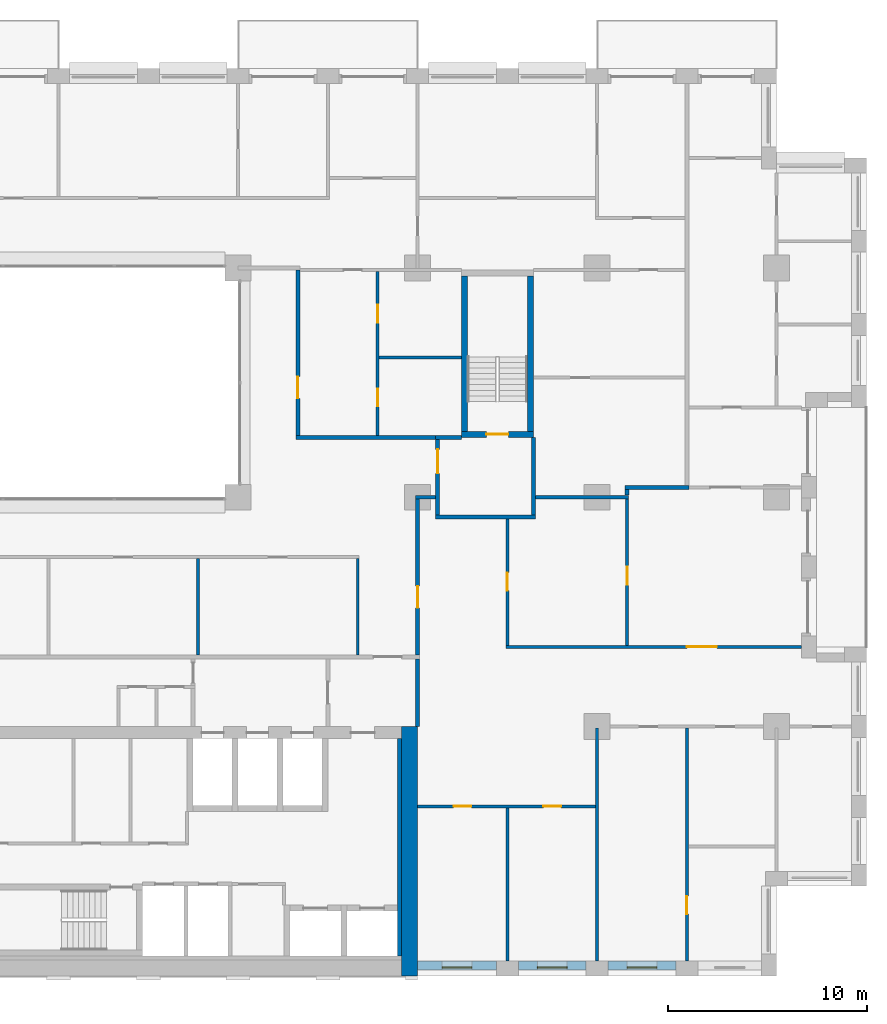
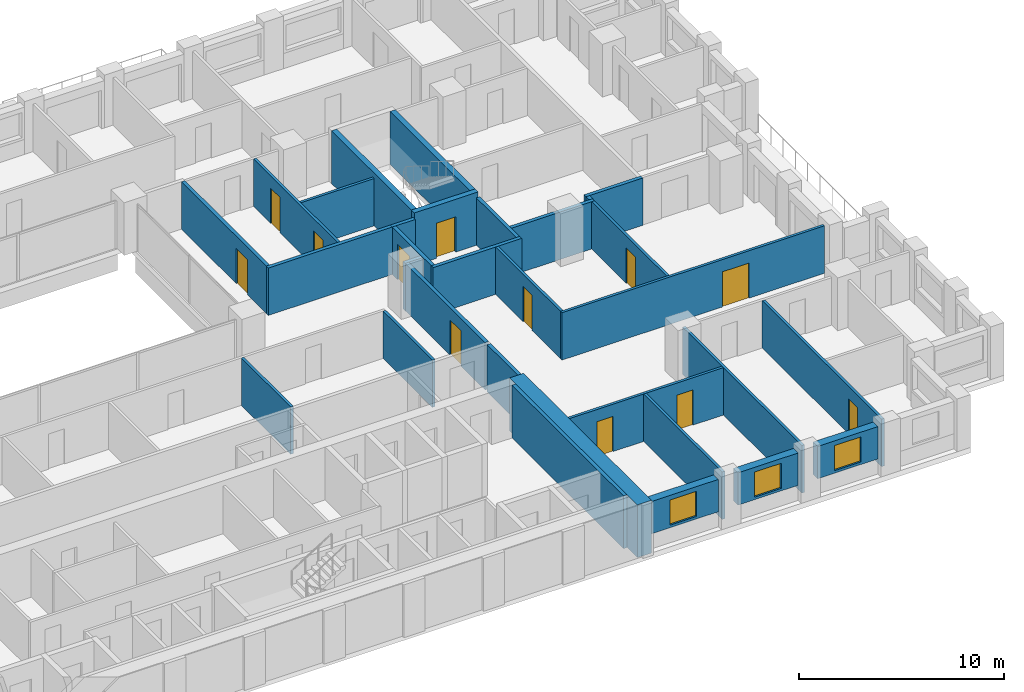
# One storey, part 11 of 16: 31 walls, 12 doors, 3 windows, 15 openings.
"""IFC4 building model written with IfcOpenShell, lengths in metres."""

from ifc_helpers import new_model, si_unit, direction, frame, frame_2d, origin, place, context, subcontext, project, spatial, rectangle, extrude, material, layer, layer_set, type_object, element, fill, save


model = new_model("IFC4")

# Units and contexts
model_context = context("Model", 3, precision=1e-05, world=origin(), true_north=direction((0.0, 1.0)))
body_context = subcontext(model_context, "Body", "Model", "MODEL_VIEW")
ifc_project = project(units=[si_unit("LENGTHUNIT", "METRE"), si_unit("AREAUNIT", "SQUARE_METRE"), si_unit("VOLUMEUNIT", "CUBIC_METRE"), si_unit("PLANEANGLEUNIT", "RADIAN"), si_unit("MASSUNIT", "GRAM", prefix="KILO")], contexts=[model_context])

# Site, building, storey
site_placement = place(None, origin())
site = spatial("IfcSite", under=ifc_project, at=site_placement, CompositionType="ELEMENT")
building_placement = place(site_placement, origin())
building = spatial("IfcBuilding", under=site, at=building_placement, Name="Brigalow Station Residences", CompositionType="ELEMENT")
storey_placement = place(building_placement, frame((0.0, 0.0, 115.050048828125)))
storey = spatial("IfcBuildingStorey", under=building, at=storey_placement, Name="L33", CompositionType="ELEMENT", Elevation=115.050048828125)

# Wall, opening, window
ifc_material_1 = material(Name="Clay brick masonry", Category="masonry")
ifc_layer_1 = layer(ifc_material_1, 0.449951171875)
ifc_layer_set_1 = layer_set([ifc_layer_1], Name="BRICK INFILL WALL 450")
wall_type_1 = type_object("IfcWallType", Name="BRICK INFILL WALL 450", PredefinedType="SOLIDWALL", material=ifc_layer_set_1)
wall_1_placement = place(storey_placement, frame((54.0, 0.52490234375, 0.89990234375), z_axis=(0.0, 0.0, 1.0), x_axis=(1.0, 0.0, 0.0)))
wall_1 = element("IfcWall", 1, at=wall_1_placement, inside=storey, type_object=wall_type_1, Name="L33/ewall/W-L33-4", PredefinedType="SOLIDWALL", context=body_context, shape_type="SweptSolid", body=[
    extrude(rectangle(XDim=3.949951171875, YDim=0.449951171875, at=frame_2d((1.97509765625, 0.0))), origin(), (0.0, 0.0, 1.0), 1.929931640625),
])
opening_1_placement = place(wall_1_placement, frame((1.22509765625, 0.0, 0.14990234375)))
opening_1 = element("IfcOpeningElement", 2, at=opening_1_placement, cuts=wall_1, Name="Opening WT-1", PredefinedType="OPENING", context=body_context, shape_type="SweptSolid", body=[
    extrude(rectangle(XDim=1.5, YDim=1.5, at=frame_2d((0.75, 0.75))), frame((0.0, 0.23486328125, 0.0), z_axis=(0.0, -1.0, 0.0), x_axis=(1.0, 0.0, 0.0)), (0.0, 0.0, 1.0), 0.469970703125),
])
ifc_material_2 = material(Name="Anodised aluminium frame with double glazing", Category="aluminium")
window_type = type_object("IfcWindowType", Name="WINDOW 1500x1500", PartitioningType="SINGLE_PANEL", PredefinedType="WINDOW", material=ifc_material_2)
window_1_placement = place(opening_1_placement, origin())
window_1 = element("IfcWindow", 3, at=window_1_placement, inside=storey, type_object=window_type, Name="L33/window/W-L33-4", OverallHeight=1.5, OverallWidth=1.5, PartitioningType="SINGLE_PANEL", PredefinedType="WINDOW", context=body_context, shape_type="SweptSolid", body=[
    extrude(rectangle(XDim=1.5, YDim=1.5, at=frame_2d((0.75, 0.75))), frame((0.0, -0.06494140625, 0.0), z_axis=(0.0, -1.0, 0.0), x_axis=(1.0, 0.0, 0.0)), (0.0, 0.0, 1.0), 0.06005859375),
])
fill(opening_1, window_1)

wall_2_placement = place(storey_placement, frame((59.050048828125, 0.52490234375, 0.89990234375), z_axis=(0.0, 0.0, 1.0), x_axis=(1.0, 0.0, 0.0)))
wall_2 = element("IfcWall", 4, at=wall_2_placement, inside=storey, type_object=wall_type_1, Name="L33/ewall/W-L33-5", PredefinedType="SOLIDWALL", context=body_context, shape_type="SweptSolid", body=[
    extrude(rectangle(XDim=3.39990234375, YDim=0.449951171875, at=frame_2d((1.699951171875, 0.0))), origin(), (0.0, 0.0, 1.0), 1.929931640625),
])
opening_2_placement = place(wall_2_placement, frame((0.949951171875, 0.0, 0.14990234375)))
opening_2 = element("IfcOpeningElement", 5, at=opening_2_placement, cuts=wall_2, Name="Opening WT-1", PredefinedType="OPENING", context=body_context, shape_type="SweptSolid", body=[
    extrude(rectangle(XDim=1.5, YDim=1.5, at=frame_2d((0.75, 0.75))), frame((0.0, 0.23486328125, 0.0), z_axis=(0.0, -1.0, 0.0), x_axis=(1.0, 0.0, 0.0)), (0.0, 0.0, 1.0), 0.469970703125),
])
window_2_placement = place(opening_2_placement, origin())
window_2 = element("IfcWindow", 6, at=window_2_placement, inside=storey, type_object=window_type, Name="L33/window/W-L33-5", OverallHeight=1.5, OverallWidth=1.5, PartitioningType="SINGLE_PANEL", PredefinedType="WINDOW", context=body_context, shape_type="SweptSolid", body=[
    extrude(rectangle(XDim=1.5, YDim=1.5, at=frame_2d((0.75, 0.75))), frame((0.0, -0.06494140625, 0.0), z_axis=(0.0, -1.0, 0.0), x_axis=(1.0, 0.0, 0.0)), (0.0, 0.0, 1.0), 0.06005859375),
])
fill(opening_2, window_2)

wall_3_placement = place(storey_placement, frame((63.550048828125, 0.52490234375, 0.89990234375), z_axis=(0.0, 0.0, 1.0), x_axis=(1.0, 0.0, 0.0)))
wall_3 = element("IfcWall", 7, at=wall_3_placement, inside=storey, type_object=wall_type_1, Name="L33/ewall/W-L33-6", PredefinedType="SOLIDWALL", context=body_context, shape_type="SweptSolid", body=[
    extrude(rectangle(XDim=3.39990234375, YDim=0.449951171875, at=frame_2d((1.699951171875, 0.0))), origin(), (0.0, 0.0, 1.0), 1.929931640625),
])
opening_3_placement = place(wall_3_placement, frame((0.949951171875, 0.0, 0.14990234375)))
opening_3 = element("IfcOpeningElement", 8, at=opening_3_placement, cuts=wall_3, Name="Opening WT-1", PredefinedType="OPENING", context=body_context, shape_type="SweptSolid", body=[
    extrude(rectangle(XDim=1.5, YDim=1.5, at=frame_2d((0.75, 0.75))), frame((0.0, 0.23486328125, 0.0), z_axis=(0.0, -1.0, 0.0), x_axis=(1.0, 0.0, 0.0)), (0.0, 0.0, 1.0), 0.469970703125),
])
window_3_placement = place(opening_3_placement, origin())
window_3 = element("IfcWindow", 9, at=window_3_placement, inside=storey, type_object=window_type, Name="L33/window/W-L33-6", OverallHeight=1.5, OverallWidth=1.5, PartitioningType="SINGLE_PANEL", PredefinedType="WINDOW", context=body_context, shape_type="SweptSolid", body=[
    extrude(rectangle(XDim=1.5, YDim=1.5, at=frame_2d((0.75, 0.75))), frame((0.0, -0.06494140625, 0.0), z_axis=(0.0, -1.0, 0.0), x_axis=(1.0, 0.0, 0.0)), (0.0, 0.0, 1.0), 0.06005859375),
])
fill(opening_3, window_3)

# Wall
ifc_material_3 = material(Name="Concrete C65", Category="concrete")
ifc_layer_2 = layer(ifc_material_3, 0.199951171875)
ifc_layer_set_2 = layer_set([ifc_layer_2], Name="CORE SHEAR WALL 200 C65")
wall_type_2 = type_object("IfcWallType", Name="CORE SHEAR WALL 200 C65", PredefinedType="SHEAR", material=ifc_layer_set_2)
wall_4_placement = place(storey_placement, frame((53.10009765625, 1.0, 0.0), z_axis=(0.0, 0.0, 1.0), x_axis=(0.0, 1.0, 0.0)))
element("IfcWall", 10, at=wall_4_placement, inside=storey, type_object=wall_type_2, Name="CORE WALL LIN-E L33", PredefinedType="SHEAR", context=body_context, shape_type="SweptSolid", body=[
    extrude(rectangle(XDim=10.89990234375, YDim=0.199951171875, at=frame_2d((5.449951171875, 0.0))), origin(), (0.0, 0.0, 1.0), 3.14990234375),
])

# Wall, opening, door
ifc_material_4 = material(Name="Concrete C65", Category="concrete")
ifc_layer_3 = layer(ifc_material_4, 0.300048828125)
ifc_layer_set_3 = layer_set([ifc_layer_3], Name="CORE SHEAR WALL 300 C65")
wall_type_3 = type_object("IfcWallType", Name="CORE SHEAR WALL 300 C65", PredefinedType="SHEAR", material=ifc_layer_set_3)
wall_5_placement = place(storey_placement, frame((56.199951171875, 27.14990234375, 0.0), z_axis=(0.0, 0.0, 1.0), x_axis=(1.0, 0.0, 0.0)))
wall_5 = element("IfcWall", 11, at=wall_5_placement, inside=storey, type_object=wall_type_3, Name="CORE WALL ST-S3-S L33", PredefinedType="SHEAR", context=body_context, shape_type="SweptSolid", body=[
    extrude(rectangle(XDim=3.60009765625, YDim=0.300048828125, at=frame_2d((1.800048828125, 0.0))), origin(), (0.0, 0.0, 1.0), 3.14990234375),
])
opening_4_placement = place(wall_5_placement, frame((1.25, 0.0, 0.0)))
opening_4 = element("IfcOpeningElement", 12, at=opening_4_placement, cuts=wall_5, Name="Opening D-5018", PredefinedType="OPENING", context=body_context, shape_type="SweptSolid", body=[
    extrude(rectangle(XDim=1.10009765625, YDim=2.10009765625, at=frame_2d((0.550048828125, 1.050048828125))), frame((0.0, 0.16015625, 0.0), z_axis=(0.0, -1.0, 0.0), x_axis=(1.0, 0.0, 0.0)), (0.0, 0.0, 1.0), 0.320068359375),
])
ifc_material_5 = material(Name="Steel fire door leaf in steel frame", Category="steel")
door_type_1 = type_object("IfcDoorType", Name="STAIR DOOR 1100 x 2100 FD60S", OperationType="SINGLE_SWING_LEFT", PredefinedType="DOOR", material=ifc_material_5)
door_1_placement = place(opening_4_placement, origin())
door_1 = element("IfcDoor", 13, at=door_1_placement, inside=storey, type_object=door_type_1, Name="D-5018", OperationType="SINGLE_SWING_LEFT", OverallHeight=2.10009765625, OverallWidth=1.10009765625, PredefinedType="DOOR", context=body_context, shape_type="SweptSolid", body=[
    extrude(rectangle(XDim=1.10009765625, YDim=2.10009765625, at=frame_2d((0.550048828125, 1.050048828125))), frame((0.0, 0.02490234375, 0.0), z_axis=(0.0, -1.0, 0.0), x_axis=(1.0, 0.0, 0.0)), (0.0, 0.0, 1.0), 0.050048828125),
])
fill(opening_4, door_1)

# Walls
for number, where, z_axis, x_axis, name in (
    (14, (56.35009765625, 27.300048828125, 0.0), (0.0, 0.0, 1.0), (0.0, 1.0, 0.0), "CORE WALL ST-S3-W L33"),
    (15, (59.64990234375, 27.300048828125, 0.0), (0.0, 0.0, 1.0), (0.0, 1.0, 0.0), "CORE WALL ST-S3-E L33"),
):
    element("IfcWall", number, at=place(storey_placement, frame(where, z_axis=z_axis, x_axis=x_axis)), inside=storey, type_object=wall_type_3, Name=name, PredefinedType="SHEAR", context=body_context, shape_type="SweptSolid", body=[
        extrude(rectangle(XDim=7.800048828125, YDim=0.300048828125, at=frame_2d((3.89990234375, 0.0))), origin(), (0.0, 0.0, 1.0), 3.14990234375),
    ])
ifc_material_6 = material(Name="Concrete C65", Category="concrete")
ifc_layer_4 = layer(ifc_material_6, 0.800048828125)
ifc_layer_set_4 = layer_set([ifc_layer_4], Name="CORE SHEAR WALL 800 C65")
wall_type_4 = type_object("IfcWallType", Name="CORE SHEAR WALL 800 C65", PredefinedType="SHEAR", material=ifc_layer_set_4)
wall_6_placement = place(storey_placement, frame((53.60009765625, 0.0, 0.0), z_axis=(0.0, 0.0, 1.0), x_axis=(0.0, 1.0, 0.0)))
element("IfcWall", 16, at=wall_6_placement, inside=storey, type_object=wall_type_4, Name="CORE WALL OUT-E L33", PredefinedType="SHEAR", context=body_context, shape_type="SweptSolid", body=[
    extrude(rectangle(XDim=12.5, YDim=0.800048828125, at=frame_2d((6.25, 0.0))), origin(), (0.0, 0.0, 1.0), 3.14990234375),
])
ifc_material_7 = material(Name="Concrete blockwork", Category="masonry")
ifc_layer_5 = layer(ifc_material_7, 0.199951171875)
ifc_layer_set_5 = layer_set([ifc_layer_5], Name="FIRE RATED CORE PARTITION 200")
wall_type_5 = type_object("IfcWallType", Name="FIRE RATED CORE PARTITION 200", PredefinedType="PARTITIONING", material=ifc_layer_set_5)
wall_7_placement = place(storey_placement, frame((54.89990234375, 23.0, 0.0), z_axis=(0.0, 0.0, 1.0), x_axis=(1.0, 0.0, 0.0)))
element("IfcWall", 17, at=wall_7_placement, inside=storey, type_object=wall_type_5, Name="PW-5024", PredefinedType="PARTITIONING", context=body_context, shape_type="SweptSolid", body=[
    extrude(rectangle(XDim=5.0, YDim=0.199951171875, at=frame_2d((2.5, 0.0))), origin(), (0.0, 0.0, 1.0), 2.829833984375),
])
wall_8_placement = place(storey_placement, frame((54.89990234375, 27.0, 0.0), z_axis=(0.0, 0.0, 1.0), x_axis=(1.0, 0.0, 0.0)))
element("IfcWall", 18, at=wall_8_placement, inside=storey, type_object=wall_type_5, Name="PW-5026", PredefinedType="PARTITIONING", context=body_context, shape_type="SweptSolid", body=[
    extrude(rectangle(XDim=1.300048828125, YDim=0.199951171875, at=frame_2d((0.64990234375, 0.0))), origin(), (0.0, 0.0, 1.0), 2.829833984375),
])
wall_9_placement = place(storey_placement, frame((54.0, 12.5, 0.0), z_axis=(0.0, 0.0, 1.0), x_axis=(0.0, 1.0, 0.0)))
element("IfcWall", 19, at=wall_9_placement, inside=storey, type_object=wall_type_5, Name="PW-5016", PredefinedType="PARTITIONING", context=body_context, shape_type="SweptSolid", body=[
    extrude(rectangle(XDim=3.39990234375, YDim=0.199951171875, at=frame_2d((1.699951171875, 0.0))), origin(), (0.0, 0.0, 1.0), 2.829833984375),
])

# Wall, opening, door
wall_10_placement = place(storey_placement, frame((55.0, 23.10009765625, 0.0), z_axis=(0.0, 0.0, 1.0), x_axis=(0.0, 1.0, 0.0)))
wall_10 = element("IfcWall", 20, at=wall_10_placement, inside=storey, type_object=wall_type_5, Name="PW-5036", PredefinedType="PARTITIONING", context=body_context, shape_type="SweptSolid", body=[
    extrude(rectangle(XDim=3.7998046875, YDim=0.199951171875, at=frame_2d((1.89990234375, 0.0))), origin(), (0.0, 0.0, 1.0), 2.829833984375),
])
opening_5_placement = place(wall_10_placement, frame((2.10009765625, 0.0, 0.0)))
opening_5 = element("IfcOpeningElement", 21, at=opening_5_placement, cuts=wall_10, Name="Opening D-5019", PredefinedType="OPENING", context=body_context, shape_type="SweptSolid", body=[
    extrude(rectangle(XDim=1.199951171875, YDim=2.10009765625, at=frame_2d((0.60009765625, 1.050048828125))), frame((0.0, 0.10986328125, 0.0), z_axis=(0.0, -1.0, 0.0), x_axis=(1.0, 0.0, 0.0)), (0.0, 0.0, 1.0), 0.219970703125),
])
ifc_material_8 = material(Name="Steel fire door leaf in steel frame", Category="steel")
door_type_2 = type_object("IfcDoorType", Name="STAIR LOBBY DOOR 1200 x 2100 FD60S", OperationType="SINGLE_SWING_LEFT", PredefinedType="DOOR", material=ifc_material_8)
door_2_placement = place(opening_5_placement, frame((1.199951171875, 0.0, 0.0), z_axis=(0.0, 0.0, 1.0), x_axis=(-1.0, 0.0, 0.0)))
door_2 = element("IfcDoor", 22, at=door_2_placement, inside=storey, type_object=door_type_2, Name="D-5019", OperationType="SINGLE_SWING_LEFT", OverallHeight=2.10009765625, OverallWidth=1.199951171875, PredefinedType="DOOR", context=body_context, shape_type="SweptSolid", body=[
    extrude(rectangle(XDim=1.199951171875, YDim=2.10009765625, at=frame_2d((0.60009765625, 1.050048828125))), frame((0.0, 0.02490234375, 0.0), z_axis=(0.0, -1.0, 0.0), x_axis=(1.0, 0.0, 0.0)), (0.0, 0.0, 1.0), 0.050048828125),
])
fill(opening_5, door_2)

# Wall
wall_11_placement = place(storey_placement, frame((59.800048828125, 23.10009765625, 0.0), z_axis=(0.0, 0.0, 1.0), x_axis=(0.0, 1.0, 0.0)))
element("IfcWall", 23, at=wall_11_placement, inside=storey, type_object=wall_type_5, Name="PW-5037", PredefinedType="PARTITIONING", context=body_context, shape_type="SweptSolid", body=[
    extrude(rectangle(XDim=3.89990234375, YDim=0.199951171875, at=frame_2d((1.949951171875, 0.0))), origin(), (0.0, 0.0, 1.0), 2.829833984375),
])

# Wall, opening, door
ifc_material_9 = material(Name="Plasterboard on steel stud partition", Category="steel")
ifc_layer_6 = layer(ifc_material_9, 0.14990234375)
ifc_layer_set_6 = layer_set([ifc_layer_6], Name="FLAT PARTITION 150")
wall_type_6 = type_object("IfcWallType", Name="FLAT PARTITION 150", PredefinedType="PARTITIONING", material=ifc_layer_set_6)
wall_12_placement = place(storey_placement, frame((58.425048828125, 16.5, 0.0), z_axis=(0.0, 0.0, 1.0), x_axis=(1.0, 0.0, 0.0)))
wall_12 = element("IfcWall", 24, at=wall_12_placement, inside=storey, type_object=wall_type_6, Name="PW-2D13", PredefinedType="PARTITIONING", context=body_context, shape_type="SweptSolid", body=[
    extrude(rectangle(XDim=14.824951171875, YDim=0.14990234375, at=frame_2d((7.41259765625, 0.0))), origin(), (0.0, 0.0, 1.0), 2.829833984375),
])
opening_6_placement = place(wall_12_placement, frame((9.074951171875, 0.0, 0.0)))
opening_6 = element("IfcOpeningElement", 25, at=opening_6_placement, cuts=wall_12, Name="Opening D-2D41", PredefinedType="OPENING", context=body_context, shape_type="SweptSolid", body=[
    extrude(rectangle(XDim=1.5, YDim=2.10009765625, at=frame_2d((0.75, 1.050048828125))), frame((0.0, 0.0849609375, 0.0), z_axis=(0.0, -1.0, 0.0), x_axis=(1.0, 0.0, 0.0)), (0.0, 0.0, 1.0), 0.169921875),
])
ifc_material_10 = material(Name="Solid-core timber door leaf", Category="wood")
door_type_3 = type_object("IfcDoorType", Name="INTERNAL DOUBLE DOOR 1500 x 2100", OperationType="DOUBLE_DOOR_SINGLE_SWING", PredefinedType="DOOR", material=ifc_material_10)
door_3_placement = place(opening_6_placement, origin())
door_3 = element("IfcDoor", 26, at=door_3_placement, inside=storey, type_object=door_type_3, Name="D-2D41", OperationType="DOUBLE_DOOR_SINGLE_SWING", OverallHeight=2.10009765625, OverallWidth=1.5, PredefinedType="DOOR", context=body_context, shape_type="SweptSolid", body=[
    extrude(rectangle(XDim=1.5, YDim=2.10009765625, at=frame_2d((0.75, 1.050048828125))), frame((0.0, 0.02490234375, 0.0), z_axis=(0.0, -1.0, 0.0), x_axis=(1.0, 0.0, 0.0)), (0.0, 0.0, 1.0), 0.050048828125),
])
fill(opening_6, door_3)

# Wall, openings, doors
wall_13_placement = place(storey_placement, frame((54.0, 8.5, 0.0), z_axis=(0.0, 0.0, 1.0), x_axis=(1.0, 0.0, 0.0)))
wall_13 = element("IfcWall", 27, at=wall_13_placement, inside=storey, type_object=wall_type_6, Name="PW-2D15", PredefinedType="PARTITIONING", context=body_context, shape_type="SweptSolid", body=[
    extrude(rectangle(XDim=8.925048828125, YDim=0.14990234375, at=frame_2d((4.46240234375, 0.0))), origin(), (0.0, 0.0, 1.0), 2.829833984375),
])
opening_7_placement = place(wall_13_placement, frame((1.800048828125, 0.0, 0.0)))
opening_7 = element("IfcOpeningElement", 28, at=opening_7_placement, cuts=wall_13, Name="Opening D-2D33", PredefinedType="OPENING", context=body_context, shape_type="SweptSolid", body=[
    extrude(rectangle(XDim=0.89990234375, YDim=2.10009765625, at=frame_2d((0.449951171875, 1.050048828125))), frame((0.0, 0.0849609375, 0.0), z_axis=(0.0, -1.0, 0.0), x_axis=(1.0, 0.0, 0.0)), (0.0, 0.0, 1.0), 0.169921875),
])
opening_8_placement = place(wall_13_placement, frame((6.300048828125, 0.0, 0.0)))
opening_8 = element("IfcOpeningElement", 29, at=opening_8_placement, cuts=wall_13, Name="Opening D-2D35", PredefinedType="OPENING", context=body_context, shape_type="SweptSolid", body=[
    extrude(rectangle(XDim=0.89990234375, YDim=2.10009765625, at=frame_2d((0.449951171875, 1.050048828125))), frame((0.0, 0.0849609375, 0.0), z_axis=(0.0, -1.0, 0.0), x_axis=(1.0, 0.0, 0.0)), (0.0, 0.0, 1.0), 0.169921875),
])
ifc_material_11 = material(Name="Solid-core timber door leaf", Category="wood")
door_type_4 = type_object("IfcDoorType", Name="INTERNAL DOOR 900 x 2100", OperationType="SINGLE_SWING_LEFT", PredefinedType="DOOR", material=ifc_material_11)
door_4_placement = place(opening_7_placement, frame((0.89990234375, 0.0, 0.0), z_axis=(0.0, 0.0, 1.0), x_axis=(-1.0, 0.0, 0.0)))
door_4 = element("IfcDoor", 30, at=door_4_placement, inside=storey, type_object=door_type_4, Name="D-2D33", OperationType="SINGLE_SWING_LEFT", OverallHeight=2.10009765625, OverallWidth=0.89990234375, PredefinedType="DOOR", context=body_context, shape_type="SweptSolid", body=[
    extrude(rectangle(XDim=0.89990234375, YDim=2.10009765625, at=frame_2d((0.449951171875, 1.050048828125))), frame((0.0, 0.02490234375, 0.0), z_axis=(0.0, -1.0, 0.0), x_axis=(1.0, 0.0, 0.0)), (0.0, 0.0, 1.0), 0.050048828125),
])
fill(opening_7, door_4)
door_5_placement = place(opening_8_placement, frame((0.89990234375, 0.0, 0.0), z_axis=(0.0, 0.0, 1.0), x_axis=(-1.0, 0.0, 0.0)))
door_5 = element("IfcDoor", 31, at=door_5_placement, inside=storey, type_object=door_type_4, Name="D-2D35", OperationType="SINGLE_SWING_RIGHT", OverallHeight=2.10009765625, OverallWidth=0.89990234375, PredefinedType="DOOR", context=body_context, shape_type="SweptSolid", body=[
    extrude(rectangle(XDim=0.89990234375, YDim=2.10009765625, at=frame_2d((0.449951171875, 1.050048828125))), frame((0.0, 0.02490234375, 0.0), z_axis=(0.0, -1.0, 0.0), x_axis=(1.0, 0.0, 0.0)), (0.0, 0.0, 1.0), 0.050048828125),
])
fill(opening_8, door_5)

# Walls
wall_14_placement = place(storey_placement, frame((52.074951171875, 31.0, 0.0), z_axis=(0.0, 0.0, 1.0), x_axis=(1.0, 0.0, 0.0)))
element("IfcWall", 32, at=wall_14_placement, inside=storey, type_object=wall_type_6, Name="PW-2D29", PredefinedType="PARTITIONING", context=body_context, shape_type="SweptSolid", body=[
    extrude(rectangle(XDim=4.125, YDim=0.14990234375, at=frame_2d((2.0625, 0.0))), origin(), (0.0, 0.0, 1.0), 2.829833984375),
])
wall_15_placement = place(storey_placement, frame((51.0, 16.10009765625, 0.0), z_axis=(0.0, 0.0, 1.0), x_axis=(0.0, 1.0, 0.0)))
element("IfcWall", 33, at=wall_15_placement, inside=storey, type_object=wall_type_6, Name="PW-2D42", PredefinedType="PARTITIONING", context=body_context, shape_type="SweptSolid", body=[
    extrude(rectangle(XDim=4.824951171875, YDim=0.14990234375, at=frame_2d((2.41259765625, 0.0))), origin(), (0.0, 0.0, 1.0), 2.829833984375),
])

# Wall, openings, doors
wall_16_placement = place(storey_placement, frame((52.0, 27.10009765625, 0.0), z_axis=(0.0, 0.0, 1.0), x_axis=(0.0, 1.0, 0.0)))
wall_16 = element("IfcWall", 34, at=wall_16_placement, inside=storey, type_object=wall_type_6, Name="PW-2D53", PredefinedType="PARTITIONING", context=body_context, shape_type="SweptSolid", body=[
    extrude(rectangle(XDim=8.224853515625, YDim=0.14990234375, at=frame_2d((4.1123046875, 0.0))), origin(), (0.0, 0.0, 1.0), 2.829833984375),
])
opening_9_placement = place(wall_16_placement, frame((1.449951171875, 0.0, 0.0)))
opening_9 = element("IfcOpeningElement", 35, at=opening_9_placement, cuts=wall_16, Name="Opening D-2D18", PredefinedType="OPENING", context=body_context, shape_type="SweptSolid", body=[
    extrude(rectangle(XDim=0.89990234375, YDim=2.10009765625, at=frame_2d((0.449951171875, 1.050048828125))), frame((0.0, 0.0849609375, 0.0), z_axis=(0.0, -1.0, 0.0), x_axis=(1.0, 0.0, 0.0)), (0.0, 0.0, 1.0), 0.169921875),
])
opening_10_placement = place(wall_16_placement, frame((5.64990234375, 0.0, 0.0)))
opening_10 = element("IfcOpeningElement", 36, at=opening_10_placement, cuts=wall_16, Name="Opening D-2D19", PredefinedType="OPENING", context=body_context, shape_type="SweptSolid", body=[
    extrude(rectangle(XDim=0.89990234375, YDim=2.10009765625, at=frame_2d((0.449951171875, 1.050048828125))), frame((0.0, 0.0849609375, 0.0), z_axis=(0.0, -1.0, 0.0), x_axis=(1.0, 0.0, 0.0)), (0.0, 0.0, 1.0), 0.169921875),
])
door_6_placement = place(opening_9_placement, frame((0.89990234375, 0.0, 0.0), z_axis=(0.0, 0.0, 1.0), x_axis=(-1.0, 0.0, 0.0)))
door_6 = element("IfcDoor", 37, at=door_6_placement, inside=storey, type_object=door_type_4, Name="D-2D18", OperationType="SINGLE_SWING_RIGHT", OverallHeight=2.10009765625, OverallWidth=0.89990234375, PredefinedType="DOOR", context=body_context, shape_type="SweptSolid", body=[
    extrude(rectangle(XDim=0.89990234375, YDim=2.10009765625, at=frame_2d((0.449951171875, 1.050048828125))), frame((0.0, 0.02490234375, 0.0), z_axis=(0.0, -1.0, 0.0), x_axis=(1.0, 0.0, 0.0)), (0.0, 0.0, 1.0), 0.050048828125),
])
fill(opening_9, door_6)
door_7_placement = place(opening_10_placement, frame((0.89990234375, 0.0, 0.0), z_axis=(0.0, 0.0, 1.0), x_axis=(-1.0, 0.0, 0.0)))
door_7 = element("IfcDoor", 38, at=door_7_placement, inside=storey, type_object=door_type_4, Name="D-2D19", OperationType="SINGLE_SWING_LEFT", OverallHeight=2.10009765625, OverallWidth=0.89990234375, PredefinedType="DOOR", context=body_context, shape_type="SweptSolid", body=[
    extrude(rectangle(XDim=0.89990234375, YDim=2.10009765625, at=frame_2d((0.449951171875, 1.050048828125))), frame((0.0, 0.02490234375, 0.0), z_axis=(0.0, -1.0, 0.0), x_axis=(1.0, 0.0, 0.0)), (0.0, 0.0, 1.0), 0.050048828125),
])
fill(opening_10, door_7)

# Wall
wall_17_placement = place(storey_placement, frame((63.0, 0.75, 0.0), z_axis=(0.0, 0.0, 1.0), x_axis=(0.0, 1.0, 0.0)))
element("IfcWall", 39, at=wall_17_placement, inside=storey, type_object=wall_type_6, Name="PW-2D58", PredefinedType="PARTITIONING", context=body_context, shape_type="SweptSolid", body=[
    extrude(rectangle(XDim=11.675048828125, YDim=0.14990234375, at=frame_2d((5.83740234375, 0.0))), origin(), (0.0, 0.0, 1.0), 2.829833984375),
])

# Wall, opening, door
wall_18_placement = place(storey_placement, frame((67.5, 0.75, 0.0), z_axis=(0.0, 0.0, 1.0), x_axis=(0.0, 1.0, 0.0)))
wall_18 = element("IfcWall", 40, at=wall_18_placement, inside=storey, type_object=wall_type_6, Name="PW-2D60", PredefinedType="PARTITIONING", context=body_context, shape_type="SweptSolid", body=[
    extrude(rectangle(XDim=11.675048828125, YDim=0.14990234375, at=frame_2d((5.83740234375, 0.0))), origin(), (0.0, 0.0, 1.0), 2.829833984375),
])
opening_11_placement = place(wall_18_placement, frame((2.35009765625, 0.0, 0.0)))
opening_11 = element("IfcOpeningElement", 41, at=opening_11_placement, cuts=wall_18, Name="Opening D-2D37", PredefinedType="OPENING", context=body_context, shape_type="SweptSolid", body=[
    extrude(rectangle(XDim=0.89990234375, YDim=2.10009765625, at=frame_2d((0.449951171875, 1.050048828125))), frame((0.0, 0.0849609375, 0.0), z_axis=(0.0, -1.0, 0.0), x_axis=(1.0, 0.0, 0.0)), (0.0, 0.0, 1.0), 0.169921875),
])
door_8_placement = place(opening_11_placement, frame((0.89990234375, 0.0, 0.0), z_axis=(0.0, 0.0, 1.0), x_axis=(-1.0, 0.0, 0.0)))
door_8 = element("IfcDoor", 42, at=door_8_placement, inside=storey, type_object=door_type_4, Name="D-2D37", OperationType="SINGLE_SWING_RIGHT", OverallHeight=2.10009765625, OverallWidth=0.89990234375, PredefinedType="DOOR", context=body_context, shape_type="SweptSolid", body=[
    extrude(rectangle(XDim=0.89990234375, YDim=2.10009765625, at=frame_2d((0.449951171875, 1.050048828125))), frame((0.0, 0.02490234375, 0.0), z_axis=(0.0, -1.0, 0.0), x_axis=(1.0, 0.0, 0.0)), (0.0, 0.0, 1.0), 0.050048828125),
])
fill(opening_11, door_8)

wall_19_placement = place(storey_placement, frame((64.5, 16.574951171875, 0.0), z_axis=(0.0, 0.0, 1.0), x_axis=(0.0, 1.0, 0.0)))
wall_19 = element("IfcWall", 43, at=wall_19_placement, inside=storey, type_object=wall_type_6, Name="PW-2D62", PredefinedType="PARTITIONING", context=body_context, shape_type="SweptSolid", body=[
    extrude(rectangle(XDim=7.324951171875, YDim=0.14990234375, at=frame_2d((3.66259765625, 0.0))), origin(), (0.0, 0.0, 1.0), 2.829833984375),
])
opening_12_placement = place(wall_19_placement, frame((3.050048828125, 0.0, 0.0)))
opening_12 = element("IfcOpeningElement", 44, at=opening_12_placement, cuts=wall_19, Name="Opening D-2D40", PredefinedType="OPENING", context=body_context, shape_type="SweptSolid", body=[
    extrude(rectangle(XDim=0.89990234375, YDim=2.10009765625, at=frame_2d((0.449951171875, 1.050048828125))), frame((0.0, 0.0849609375, 0.0), z_axis=(0.0, -1.0, 0.0), x_axis=(1.0, 0.0, 0.0)), (0.0, 0.0, 1.0), 0.169921875),
])
door_9_placement = place(opening_12_placement, origin())
door_9 = element("IfcDoor", 45, at=door_9_placement, inside=storey, type_object=door_type_4, Name="D-2D40", OperationType="SINGLE_SWING_LEFT", OverallHeight=2.10009765625, OverallWidth=0.89990234375, PredefinedType="DOOR", context=body_context, shape_type="SweptSolid", body=[
    extrude(rectangle(XDim=0.89990234375, YDim=2.10009765625, at=frame_2d((0.449951171875, 1.050048828125))), frame((0.0, 0.02490234375, 0.0), z_axis=(0.0, -1.0, 0.0), x_axis=(1.0, 0.0, 0.0)), (0.0, 0.0, 1.0), 0.050048828125),
])
fill(opening_12, door_9)

# Wall
wall_20_placement = place(storey_placement, frame((58.5, 0.75, 0.0), z_axis=(0.0, 0.0, 1.0), x_axis=(0.0, 1.0, 0.0)))
element("IfcWall", 46, at=wall_20_placement, inside=storey, type_object=wall_type_6, Name="PW-2D64", PredefinedType="PARTITIONING", context=body_context, shape_type="SweptSolid", body=[
    extrude(rectangle(XDim=7.675048828125, YDim=0.14990234375, at=frame_2d((3.83740234375, 0.0))), origin(), (0.0, 0.0, 1.0), 2.829833984375),
])

# Wall, opening, door
wall_21_placement = place(storey_placement, frame((58.5, 16.574951171875, 0.0), z_axis=(0.0, 0.0, 1.0), x_axis=(0.0, 1.0, 0.0)))
wall_21 = element("IfcWall", 47, at=wall_21_placement, inside=storey, type_object=wall_type_6, Name="PW-2D65", PredefinedType="PARTITIONING", context=body_context, shape_type="SweptSolid", body=[
    extrude(rectangle(XDim=6.324951171875, YDim=0.14990234375, at=frame_2d((3.16259765625, 0.0))), origin(), (0.0, 0.0, 1.0), 2.829833984375),
])
opening_13_placement = place(wall_21_placement, frame((2.75, 0.0, 0.0)))
opening_13 = element("IfcOpeningElement", 48, at=opening_13_placement, cuts=wall_21, Name="Opening D-2D39", PredefinedType="OPENING", context=body_context, shape_type="SweptSolid", body=[
    extrude(rectangle(XDim=0.89990234375, YDim=2.10009765625, at=frame_2d((0.449951171875, 1.050048828125))), frame((0.0, 0.0849609375, 0.0), z_axis=(0.0, -1.0, 0.0), x_axis=(1.0, 0.0, 0.0)), (0.0, 0.0, 1.0), 0.169921875),
])
door_10_placement = place(opening_13_placement, frame((0.89990234375, 0.0, 0.0), z_axis=(0.0, 0.0, 1.0), x_axis=(-1.0, 0.0, 0.0)))
door_10 = element("IfcDoor", 49, at=door_10_placement, inside=storey, type_object=door_type_4, Name="D-2D39", OperationType="SINGLE_SWING_LEFT", OverallHeight=2.10009765625, OverallWidth=0.89990234375, PredefinedType="DOOR", context=body_context, shape_type="SweptSolid", body=[
    extrude(rectangle(XDim=0.89990234375, YDim=2.10009765625, at=frame_2d((0.449951171875, 1.050048828125))), frame((0.0, 0.02490234375, 0.0), z_axis=(0.0, -1.0, 0.0), x_axis=(1.0, 0.0, 0.0)), (0.0, 0.0, 1.0), 0.050048828125),
])
fill(opening_13, door_10)

# Walls
wall_22_placement = place(storey_placement, frame((43.0, 16.10009765625, 0.0), z_axis=(0.0, 0.0, 1.0), x_axis=(0.0, 1.0, 0.0)))
element("IfcWall", 50, at=wall_22_placement, inside=storey, type_object=wall_type_6, Name="PW-2D70", PredefinedType="PARTITIONING", context=body_context, shape_type="SweptSolid", body=[
    extrude(rectangle(XDim=4.824951171875, YDim=0.14990234375, at=frame_2d((2.41259765625, 0.0))), origin(), (0.0, 0.0, 1.0), 2.829833984375),
])
ifc_material_12 = material(Name="Plasterboard on steel stud partition", Category="steel")
ifc_layer_7 = layer(ifc_material_12, 0.199951171875)
ifc_layer_set_7 = layer_set([ifc_layer_7], Name="PARTY AND CORRIDOR WALL 200")
wall_type_7 = type_object("IfcWallType", Name="PARTY AND CORRIDOR WALL 200", PredefinedType="PARTITIONING", material=ifc_layer_set_7)
wall_23_placement = place(storey_placement, frame((53.89990234375, 24.0, 0.0), z_axis=(0.0, 0.0, 1.0), x_axis=(1.0, 0.0, 0.0)))
element("IfcWall", 51, at=wall_23_placement, inside=storey, type_object=wall_type_7, Name="PW-2D03", PredefinedType="PARTITIONING", context=body_context, shape_type="SweptSolid", body=[
    extrude(rectangle(XDim=1.0, YDim=0.199951171875, at=frame_2d((0.5, 0.0))), origin(), (0.0, 0.0, 1.0), 2.829833984375),
])
wall_24_placement = place(storey_placement, frame((59.89990234375, 24.0, 0.0), z_axis=(0.0, 0.0, 1.0), x_axis=(1.0, 0.0, 0.0)))
element("IfcWall", 52, at=wall_24_placement, inside=storey, type_object=wall_type_7, Name="PW-2D04", PredefinedType="PARTITIONING", context=body_context, shape_type="SweptSolid", body=[
    extrude(rectangle(XDim=4.675048828125, YDim=0.199951171875, at=frame_2d((2.33740234375, 0.0))), origin(), (0.0, 0.0, 1.0), 2.829833984375),
])
wall_25_placement = place(storey_placement, frame((47.89990234375, 27.0, 0.0), z_axis=(0.0, 0.0, 1.0), x_axis=(1.0, 0.0, 0.0)))
element("IfcWall", 53, at=wall_25_placement, inside=storey, type_object=wall_type_7, Name="PW-2D06", PredefinedType="PARTITIONING", context=body_context, shape_type="SweptSolid", body=[
    extrude(rectangle(XDim=7.0, YDim=0.199951171875, at=frame_2d((3.5, 0.0))), origin(), (0.0, 0.0, 1.0), 2.829833984375),
])
wall_26_placement = place(storey_placement, frame((64.39990234375, 24.5, 0.0), z_axis=(0.0, 0.0, 1.0), x_axis=(1.0, 0.0, 0.0)))
element("IfcWall", 54, at=wall_26_placement, inside=storey, type_object=wall_type_7, Name="PW-2D18", PredefinedType="PARTITIONING", context=body_context, shape_type="SweptSolid", body=[
    extrude(rectangle(XDim=3.2001953125, YDim=0.199951171875, at=frame_2d((1.60009765625, 0.0))), origin(), (0.0, 0.0, 1.0), 2.829833984375),
])

# Wall, opening, door
wall_27_placement = place(storey_placement, frame((54.0, 16.10009765625, 0.0), z_axis=(0.0, 0.0, 1.0), x_axis=(0.0, 1.0, 0.0)))
wall_27 = element("IfcWall", 55, at=wall_27_placement, inside=storey, type_object=wall_type_7, Name="PW-2D40", PredefinedType="PARTITIONING", context=body_context, shape_type="SweptSolid", body=[
    extrude(rectangle(XDim=7.7998046875, YDim=0.199951171875, at=frame_2d((3.89990234375, 0.0))), origin(), (0.0, 0.0, 1.0), 2.829833984375),
])
opening_14_placement = place(wall_27_placement, frame((2.35009765625, 0.0, 0.0)))
opening_14 = element("IfcOpeningElement", 56, at=opening_14_placement, cuts=wall_27, Name="Opening D-2D32", PredefinedType="OPENING", context=body_context, shape_type="SweptSolid", body=[
    extrude(rectangle(XDim=1.10009765625, YDim=2.10009765625, at=frame_2d((0.550048828125, 1.050048828125))), frame((0.0, 0.10986328125, 0.0), z_axis=(0.0, -1.0, 0.0), x_axis=(1.0, 0.0, 0.0)), (0.0, 0.0, 1.0), 0.219970703125),
])
ifc_material_13 = material(Name="Solid-core timber door leaf", Category="wood")
door_type_5 = type_object("IfcDoorType", Name="FLAT ENTRANCE DOOR 1100 x 2100 FRL -/60/30", OperationType="SINGLE_SWING_LEFT", PredefinedType="DOOR", material=ifc_material_13)
door_11_placement = place(opening_14_placement, frame((1.10009765625, 0.0, 0.0), z_axis=(0.0, 0.0, 1.0), x_axis=(-1.0, 0.0, 0.0)))
door_11 = element("IfcDoor", 57, at=door_11_placement, inside=storey, type_object=door_type_5, Name="D-2D32", OperationType="SINGLE_SWING_LEFT", OverallHeight=2.10009765625, OverallWidth=1.10009765625, PredefinedType="DOOR", context=body_context, shape_type="SweptSolid", body=[
    extrude(rectangle(XDim=1.10009765625, YDim=2.10009765625, at=frame_2d((0.550048828125, 1.050048828125))), frame((0.0, 0.02490234375, 0.0), z_axis=(0.0, -1.0, 0.0), x_axis=(1.0, 0.0, 0.0)), (0.0, 0.0, 1.0), 0.050048828125),
])
fill(opening_14, door_11)

wall_28_placement = place(storey_placement, frame((48.0, 27.10009765625, 0.0), z_axis=(0.0, 0.0, 1.0), x_axis=(0.0, 1.0, 0.0)))
wall_28 = element("IfcWall", 58, at=wall_28_placement, inside=storey, type_object=wall_type_7, Name="PW-2D44", PredefinedType="PARTITIONING", context=body_context, shape_type="SweptSolid", body=[
    extrude(rectangle(XDim=8.2998046875, YDim=0.199951171875, at=frame_2d((4.14990234375, 0.0))), origin(), (0.0, 0.0, 1.0), 2.829833984375),
])
opening_15_placement = place(wall_28_placement, frame((1.85009765625, 0.0, 0.0)))
opening_15 = element("IfcOpeningElement", 59, at=opening_15_placement, cuts=wall_28, Name="Opening D-2D17", PredefinedType="OPENING", context=body_context, shape_type="SweptSolid", body=[
    extrude(rectangle(XDim=1.10009765625, YDim=2.10009765625, at=frame_2d((0.550048828125, 1.050048828125))), frame((0.0, 0.10986328125, 0.0), z_axis=(0.0, -1.0, 0.0), x_axis=(1.0, 0.0, 0.0)), (0.0, 0.0, 1.0), 0.219970703125),
])
door_12_placement = place(opening_15_placement, frame((1.10009765625, 0.0, 0.0), z_axis=(0.0, 0.0, 1.0), x_axis=(-1.0, 0.0, 0.0)))
door_12 = element("IfcDoor", 60, at=door_12_placement, inside=storey, type_object=door_type_5, Name="D-2D17", OperationType="SINGLE_SWING_RIGHT", OverallHeight=2.10009765625, OverallWidth=1.10009765625, PredefinedType="DOOR", context=body_context, shape_type="SweptSolid", body=[
    extrude(rectangle(XDim=1.10009765625, YDim=2.10009765625, at=frame_2d((0.550048828125, 1.050048828125))), frame((0.0, 0.02490234375, 0.0), z_axis=(0.0, -1.0, 0.0), x_axis=(1.0, 0.0, 0.0)), (0.0, 0.0, 1.0), 0.050048828125),
])
fill(opening_15, door_12)

# Wall
wall_29_placement = place(storey_placement, frame((64.5, 24.10009765625, 0.0), z_axis=(0.0, 0.0, 1.0), x_axis=(0.0, 1.0, 0.0)))
element("IfcWall", 61, at=wall_29_placement, inside=storey, type_object=wall_type_7, Name="PW-2D63", PredefinedType="PARTITIONING", context=body_context, shape_type="SweptSolid", body=[
    extrude(rectangle(XDim=0.2998046875, YDim=0.199951171875, at=frame_2d((0.14990234375, 0.0))), origin(), (0.0, 0.0, 1.0), 2.829833984375),
])

save(model, "model.ifc")
